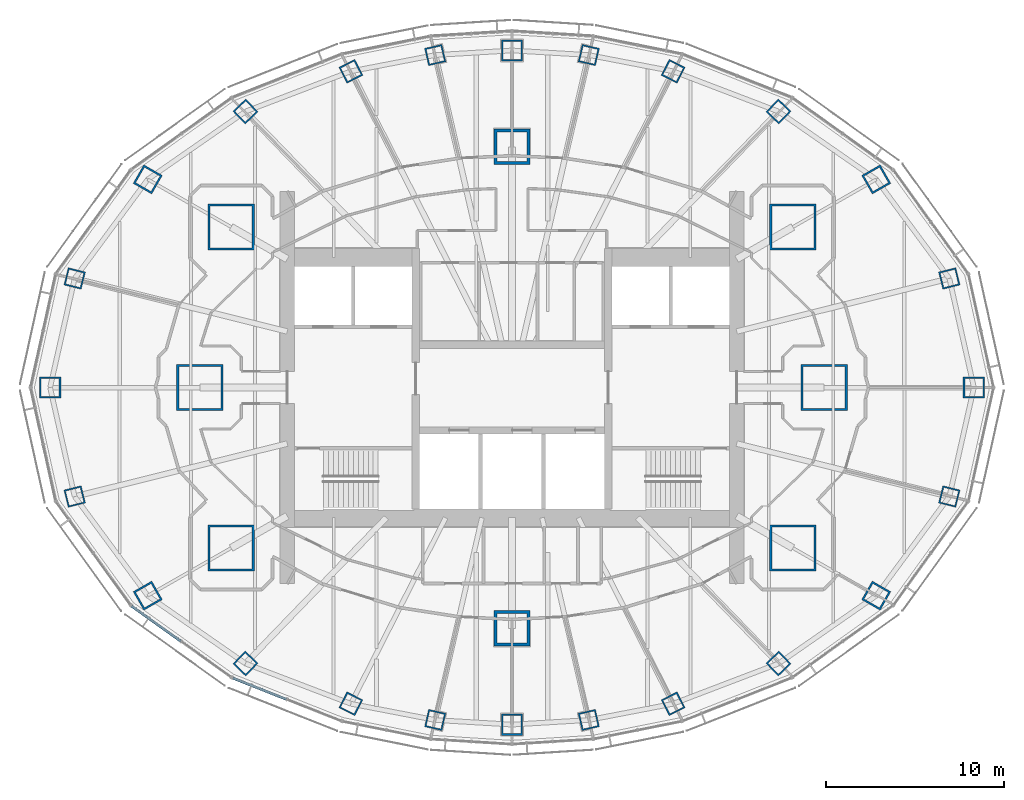
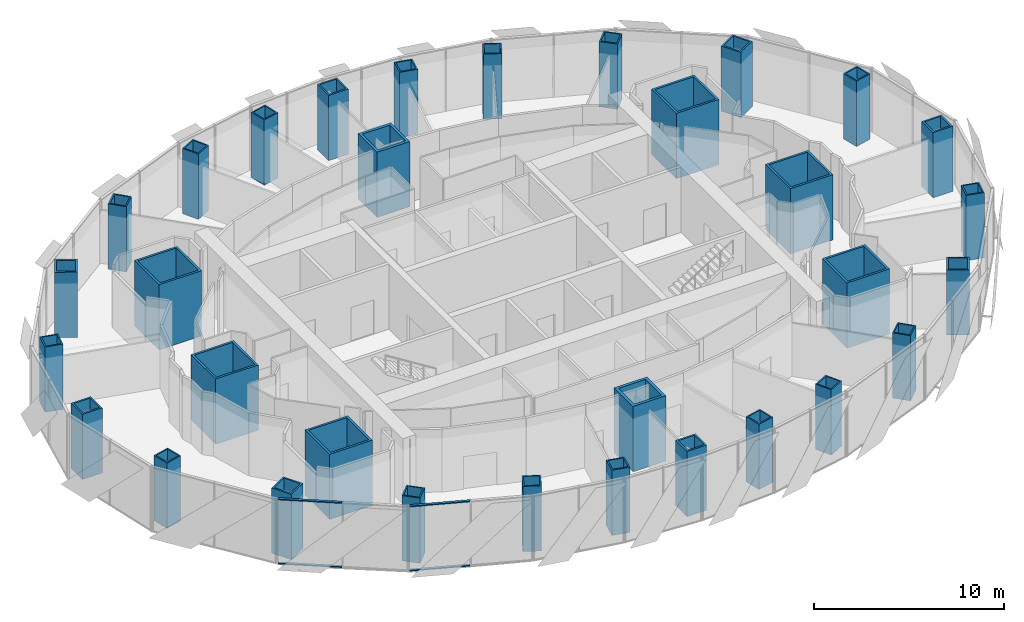
# One storey, part 1 of 19: 32 columns, 4 members, 2 elements without a shape of their own.
"""IFC4 building model written with IfcOpenShell, lengths in metres."""

from ifc_helpers import new_model, si_unit, direction, frame, origin, origin_2d, place, context, subcontext, project, spatial, rectangle, hollow_rectangle, extrude, material, material_profile, profile_set, type_object, element, aggregate, save


model = new_model("IFC4")

# Units and contexts
model_context = context("Model", 3, precision=1e-05, world=origin(), true_north=direction((0.0, 1.0)))
body_context = subcontext(model_context, "Body", "Model", "MODEL_VIEW")
ifc_project = project(units=[si_unit("LENGTHUNIT", "METRE"), si_unit("AREAUNIT", "SQUARE_METRE"), si_unit("VOLUMEUNIT", "CUBIC_METRE"), si_unit("PLANEANGLEUNIT", "RADIAN"), si_unit("MASSUNIT", "GRAM", prefix="KILO")], contexts=[model_context])

# Site, building, storey
site_placement = place(None, origin())
site = spatial("IfcSite", under=ifc_project, at=site_placement, CompositionType="ELEMENT")
building_placement = place(site_placement, origin())
building = spatial("IfcBuilding", under=site, at=building_placement, Name="Lantaw Convention Tower", CompositionType="ELEMENT")
storey_placement = place(building_placement, frame((0.0, 0.0, 245.199951171875)))
storey = spatial("IfcBuildingStorey", under=building, at=storey_placement, Name="L57", CompositionType="ELEMENT", Elevation=245.199951171875)

# Columns
ifc_material_1 = material(Name="Steel EN 10025-3 S460N", Category="steel")
ifc_material_profile_1 = material_profile(ifc_material_1, hollow_rectangle(XDim=2.0, YDim=2.0, WallThickness=0.169921875, at=origin_2d()), Name="BOX2000X170")
ifc_material_2 = material(Name="Concrete C60/75", Category="concrete")
ifc_material_profile_2 = material_profile(ifc_material_2, rectangle(XDim=1.659912109375, YDim=1.659912109375, at=origin_2d()), Name="Concrete fill of BOX2000X170")
ifc_profile_set_1 = profile_set([ifc_material_profile_1, ifc_material_profile_2], Name="Steel EN 10025-3 S460N")
column_type_1 = type_object("IfcColumnType", Name="Column MC BOX2000X170", PredefinedType="COLUMN", material=ifc_profile_set_1)
for number, where, z_axis, x_axis, name in (
    (1, (0.0, 13.5, 0.0), (0.0, 0.0, 1.0), (1.0, 0.0, 0.0), "Mega column M3"),
    (2, (0.0, -13.5, 0.0), (0.0, 0.0, 1.0), (1.0, 0.0, 0.0), "Mega column M7"),
):
    element("IfcColumn", number, at=place(storey_placement, frame(where, z_axis=z_axis, x_axis=x_axis)), inside=storey, type_object=column_type_1, Name=name, PredefinedType="COLUMN", context=body_context, shape_type="SweptSolid", body=[
        extrude(hollow_rectangle(XDim=2.0, YDim=2.0, WallThickness=0.169921875, at=origin_2d()), origin(), (0.0, 0.0, 1.0), 4.199951171875),
    ])
ifc_material_profile_3 = material_profile(ifc_material_1, hollow_rectangle(XDim=2.60009765625, YDim=2.60009765625, WallThickness=0.1298828125, at=origin_2d()), Name="BOX2600X130")
ifc_material_profile_4 = material_profile(ifc_material_2, rectangle(XDim=2.340087890625, YDim=2.340087890625, at=origin_2d()), Name="Concrete fill of BOX2600X130")
ifc_profile_set_2 = profile_set([ifc_material_profile_3, ifc_material_profile_4], Name="Steel EN 10025-3 S460N")
column_type_2 = type_object("IfcColumnType", Name="Column MC BOX2600X130", PredefinedType="COLUMN", material=ifc_profile_set_2)
for number, where, z_axis, x_axis, name in (
    (3, (17.5, 0.0, 0.0), (0.0, 0.0, 1.0), (1.0, 0.0, 0.0), "Mega column M1"),
    (4, (15.75, 9.0, 0.0), (0.0, 0.0, 1.0), (1.0, 0.0, 0.0), "Mega column M2"),
    (5, (-15.75, 9.0, 0.0), (0.0, 0.0, 1.0), (1.0, 0.0, 0.0), "Mega column M4"),
    (6, (-17.5, 0.0, 0.0), (0.0, 0.0, 1.0), (1.0, 0.0, 0.0), "Mega column M5"),
    (7, (-15.75, -9.0, 0.0), (0.0, 0.0, 1.0), (1.0, 0.0, 0.0), "Mega column M6"),
    (8, (15.75, -9.0, 0.0), (0.0, 0.0, 1.0), (1.0, 0.0, 0.0), "Mega column M8"),
):
    element("IfcColumn", number, at=place(storey_placement, frame(where, z_axis=z_axis, x_axis=x_axis)), inside=storey, type_object=column_type_2, Name=name, PredefinedType="COLUMN", context=body_context, shape_type="SweptSolid", body=[
        extrude(hollow_rectangle(XDim=2.60009765625, YDim=2.60009765625, WallThickness=0.1298828125, at=origin_2d()), origin(), (0.0, 0.0, 1.0), 4.199951171875),
    ])
ifc_material_3 = material(Name="Steel ASTM A572 Grade 50", Category="steel")
ifc_material_profile_5 = material_profile(ifc_material_3, hollow_rectangle(XDim=1.0, YDim=1.0, WallThickness=0.080078125, at=origin_2d()), Name="BOX1000X80")
ifc_material_profile_6 = material_profile(ifc_material_2, rectangle(XDim=0.840087890625, YDim=0.840087890625, at=origin_2d()), Name="Concrete fill of BOX1000X80")
ifc_profile_set_3 = profile_set([ifc_material_profile_5, ifc_material_profile_6], Name="Steel ASTM A572 Grade 50")
column_type_3 = type_object("IfcColumnType", Name="Column PC BOX1000X80", PredefinedType="COLUMN", material=ifc_profile_set_3)
for number, where, z_axis, x_axis, name in (
    (9, (24.52197265625, 6.114013671875, 0.0), (0.0, 0.0, 1.0), (0.970295726276, 0.2419218956, 0.0), "Perimeter column P2"),
    (10, (14.9443359375, 15.475341796875, 0.0), (0.0, 0.0, 1.0), (0.694658370459, 0.719339800339, 0.0), "Perimeter column P4"),
    (11, (9.03466796875, 17.7314453125, 0.0), (0.0, 0.0, 1.0), (0.45399049974, 0.891006524188, 0.0), "Perimeter column P5"),
    (12, (4.303955078125, 18.64208984375, 0.0), (0.0, 0.0, 1.0), (0.224951054344, 0.974370064785, 0.0), "Perimeter column P6"),
    (13, (-4.303955078125, 18.64208984375, 0.0), (0.0, 0.0, 1.0), (0.974370064785, 0.224951054344, 0.0), "Perimeter column P8"),
    (14, (-9.03466796875, 17.7314453125, 0.0), (0.0, 0.0, 1.0), (0.891006524188, 0.45399049974, 0.0), "Perimeter column P9"),
    (15, (-14.9443359375, 15.475341796875, 0.0), (0.0, 0.0, 1.0), (0.719339800339, 0.694658370459, 0.0), "Perimeter column P10"),
    (16, (-24.52197265625, 6.114013671875, 0.0), (0.0, 0.0, 1.0), (0.2419218956, 0.970295726276, 0.0), "Perimeter column P12"),
    (17, (-24.52197265625, -6.114013671875, 0.0), (0.0, 0.0, 1.0), (0.970295726276, 0.2419218956, 0.0), "Perimeter column P14"),
    (18, (-14.9443359375, -15.475341796875, 0.0), (0.0, 0.0, 1.0), (0.694658370459, 0.719339800339, 0.0), "Perimeter column P16"),
    (19, (-9.03466796875, -17.7314453125, 0.0), (0.0, 0.0, 1.0), (0.45399049974, 0.891006524188, 0.0), "Perimeter column P17"),
    (20, (-4.303955078125, -18.64208984375, 0.0), (0.0, 0.0, 1.0), (0.224951054344, 0.974370064785, 0.0), "Perimeter column P18"),
    (21, (4.303955078125, -18.64208984375, 0.0), (0.0, 0.0, 1.0), (0.974370064785, 0.224951054344, 0.0), "Perimeter column P20"),
    (22, (9.03466796875, -17.7314453125, 0.0), (0.0, 0.0, 1.0), (0.891006524188, 0.45399049974, 0.0), "Perimeter column P21"),
    (23, (14.9443359375, -15.475341796875, 0.0), (0.0, 0.0, 1.0), (0.719339800339, 0.694658370459, 0.0), "Perimeter column P22"),
    (24, (24.52197265625, -6.114013671875, 0.0), (0.0, 0.0, 1.0), (0.2419218956, 0.970295726276, 0.0), "Perimeter column P24"),
):
    element("IfcColumn", number, at=place(storey_placement, frame(where, z_axis=z_axis, x_axis=x_axis)), inside=storey, type_object=column_type_3, Name=name, PredefinedType="COLUMN", context=body_context, shape_type="SweptSolid", body=[
        extrude(hollow_rectangle(XDim=1.0, YDim=1.0, WallThickness=0.080078125, at=origin_2d()), origin(), (0.0, 0.0, 1.0), 4.199951171875),
    ])
ifc_material_profile_7 = material_profile(ifc_material_1, hollow_rectangle(XDim=1.199951171875, YDim=1.199951171875, WallThickness=0.10009765625, at=origin_2d()), Name="BOX1200X100")
ifc_material_profile_8 = material_profile(ifc_material_2, rectangle(XDim=1.0, YDim=1.0, at=origin_2d()), Name="Concrete fill of BOX1200X100")
ifc_profile_set_4 = profile_set([ifc_material_profile_7, ifc_material_profile_8], Name="Steel EN 10025-3 S460N")
column_type_4 = type_object("IfcColumnType", Name="Column PC BOX1200X100", PredefinedType="COLUMN", material=ifc_profile_set_4)
for number, where, z_axis, x_axis, name in (
    (25, (25.89990234375, 0.0, 0.0), (0.0, 0.0, 1.0), (1.0, 0.0, 0.0), "Perimeter column P1"),
    (26, (20.423095703125, 11.67041015625, 0.0), (0.0, 0.0, 1.0), (0.86824298017, 0.496139221777, 0.0), "Perimeter column P3"),
    (27, (0.0, 18.89990234375, 0.0), (0.0, 0.0, 1.0), (1.0, 0.0, 0.0), "Perimeter column P7"),
    (28, (-20.423095703125, 11.67041015625, 0.0), (0.0, 0.0, 1.0), (0.496139221777, 0.86824298017, 0.0), "Perimeter column P11"),
    (29, (-25.89990234375, 0.0, 0.0), (0.0, 0.0, 1.0), (1.0, 0.0, 0.0), "Perimeter column P13"),
    (30, (-20.423095703125, -11.67041015625, 0.0), (0.0, 0.0, 1.0), (0.86824298017, 0.496139221777, 0.0), "Perimeter column P15"),
    (31, (0.0, -18.89990234375, 0.0), (0.0, 0.0, 1.0), (1.0, 0.0, 0.0), "Perimeter column P19"),
    (32, (20.423095703125, -11.67041015625, 0.0), (0.0, 0.0, 1.0), (0.496139221777, 0.86824298017, 0.0), "Perimeter column P23"),
):
    element("IfcColumn", number, at=place(storey_placement, frame(where, z_axis=z_axis, x_axis=x_axis)), inside=storey, type_object=column_type_4, Name=name, PredefinedType="COLUMN", context=body_context, shape_type="SweptSolid", body=[
        extrude(hollow_rectangle(XDim=1.199951171875, YDim=1.199951171875, WallThickness=0.10009765625, at=origin_2d()), origin(), (0.0, 0.0, 1.0), 4.199951171875),
    ])

# Curtain wall, members
ifc_material_4 = material(Name="Aluminium framed curtain wall", Category="aluminium")
curtain_wall_type = type_object("IfcCurtainWallType", Name="Office curtain wall high rise, pale aluminium", PredefinedType="USERDEFINED", material=ifc_material_4)
curtain_wall_1_placement = place(storey_placement, origin())
curtain_wall_1 = element("IfcCurtainWall", 33, at=curtain_wall_1_placement, inside=storey, type_object=curtain_wall_type, Name="Office curtain wall high rise, pale aluminium L57", ObjectType="UNITISED CURTAIN WALL", PredefinedType="USERDEFINED")
ifc_material_5 = material(Name="Aluminium 6063-T6", Category="aluminium")
ifc_material_profile_9 = material_profile(ifc_material_5, rectangle(XDim=0.14990234375, YDim=0.06494140625, at=origin_2d()), Name="CW-O2 transom 65x150")
ifc_profile_set_5 = profile_set([ifc_material_profile_9], Name="Aluminium 6063-T6")
member_type = type_object("IfcMemberType", Name="CW-O2 transom 65x150", PredefinedType="USERDEFINED", material=ifc_profile_set_5)
member_1_placement = place(storey_placement, frame((-21.3251953125, -12.25390625, -0.117431640625), z_axis=(0.813679882592, -0.581313210468, 0.0), x_axis=(0.581313210468, 0.813679882592, 0.0)))
member_1 = element("IfcMember", 34, at=member_1_placement, type_object=member_type, Name="CW-O2 transom 1.1", ObjectType="TRANSOM", PredefinedType="USERDEFINED", context=body_context, shape_type="SweptSolid", body=[
    extrude(rectangle(XDim=0.14990234375, YDim=0.06494140625, at=origin_2d()), origin(), (0.0, 0.0, 1.0), 3.38623046875),
])
member_2_placement = place(storey_placement, frame((-21.3251953125, -12.25390625, 4.017578125), z_axis=(0.813679882592, -0.581313210468, 0.0), x_axis=(0.581313210468, 0.813679882592, 0.0)))
member_2 = element("IfcMember", 35, at=member_2_placement, type_object=member_type, Name="CW-O2 transom 1.2", ObjectType="TRANSOM", PredefinedType="USERDEFINED", context=body_context, shape_type="SweptSolid", body=[
    extrude(rectangle(XDim=0.14990234375, YDim=0.06494140625, at=origin_2d()), origin(), (0.0, 0.0, 1.0), 3.38623046875),
])
aggregate(curtain_wall_1, [member_1, member_2])

curtain_wall_2_placement = place(storey_placement, origin())
curtain_wall_2 = element("IfcCurtainWall", 36, at=curtain_wall_2_placement, inside=storey, type_object=curtain_wall_type, Name="Office curtain wall high rise, pale aluminium L57", ObjectType="UNITISED CURTAIN WALL", PredefinedType="USERDEFINED")
member_3_placement = place(storey_placement, frame((-15.648193359375, -16.29052734375, -0.117431640625), z_axis=(0.929740712354, -0.368214893495, 0.0), x_axis=(0.368214893495, 0.929740712354, 0.0)))
member_3 = element("IfcMember", 37, at=member_3_placement, type_object=member_type, Name="CW-O2 transom 1.1", ObjectType="TRANSOM", PredefinedType="USERDEFINED", context=body_context, shape_type="SweptSolid", body=[
    extrude(rectangle(XDim=0.14990234375, YDim=0.06494140625, at=origin_2d()), origin(), (0.0, 0.0, 1.0), 3.22314453125),
])
member_4_placement = place(storey_placement, frame((-15.648193359375, -16.29052734375, 4.017578125), z_axis=(0.929740712354, -0.368214893495, 0.0), x_axis=(0.368214893495, 0.929740712354, 0.0)))
member_4 = element("IfcMember", 38, at=member_4_placement, type_object=member_type, Name="CW-O2 transom 1.2", ObjectType="TRANSOM", PredefinedType="USERDEFINED", context=body_context, shape_type="SweptSolid", body=[
    extrude(rectangle(XDim=0.14990234375, YDim=0.06494140625, at=origin_2d()), origin(), (0.0, 0.0, 1.0), 3.22314453125),
])
aggregate(curtain_wall_2, [member_3, member_4])

save(model, "model.ifc")
